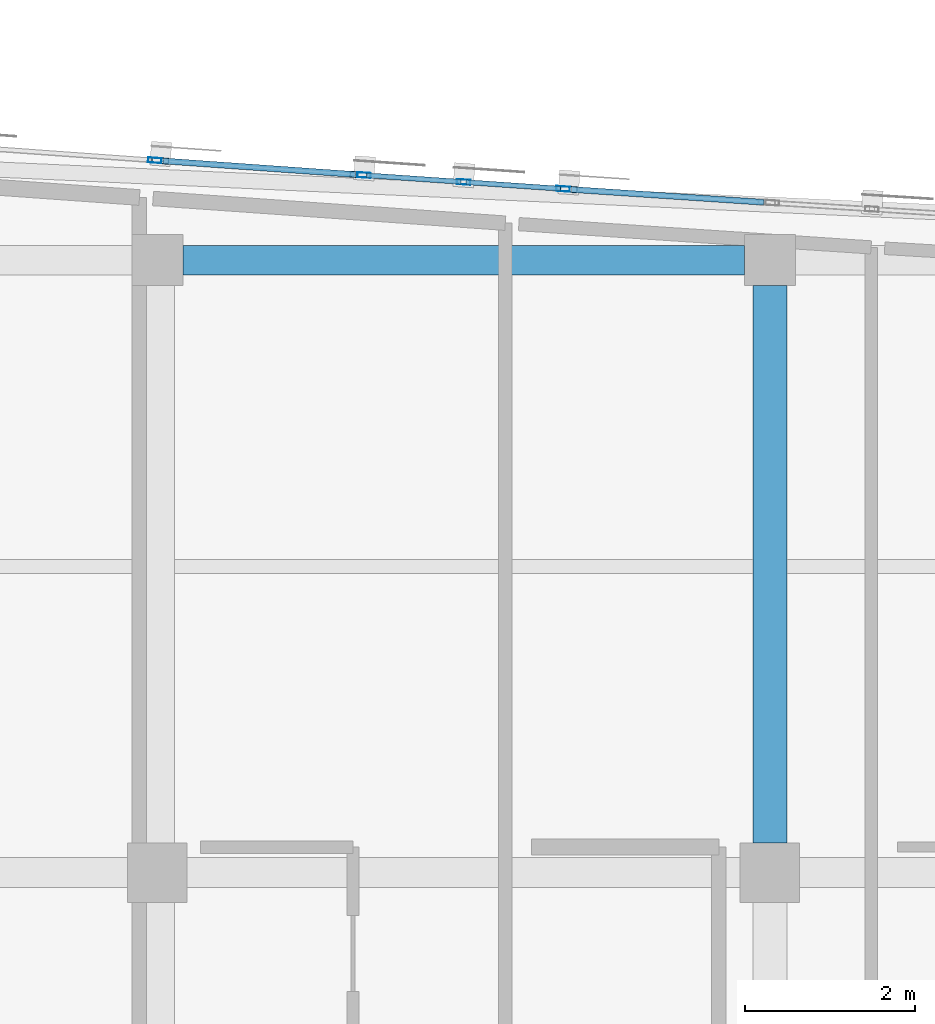
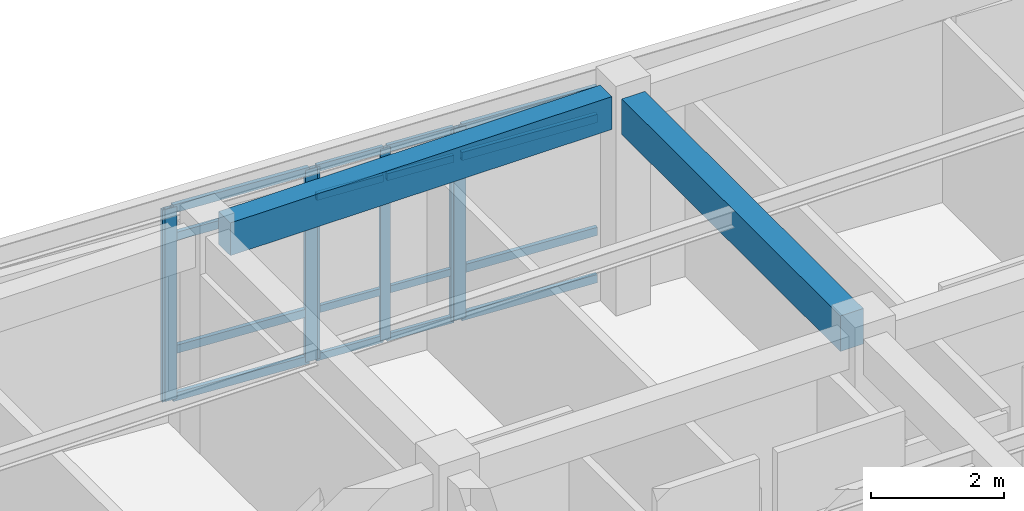
# One storey, part 60 of 113: 23 members, 2 beams, 4 elements without a shape of their own.
"""IFC4 building model written with IfcOpenShell, lengths in metres."""

from ifc_helpers import new_model, si_unit, direction, frame, origin, origin_2d, place, context, subcontext, project, spatial, rectangle, hollow_rectangle, extrude, material, layer, layer_set, material_profile, profile_set, type_object, element, aggregate, save


model = new_model("IFC4")

# Units and contexts
model_context = context("Model", 3, precision=1e-05, world=origin(), true_north=direction((0.0, 1.0)))
body_context = subcontext(model_context, "Body", "Model", "MODEL_VIEW")
ifc_project = project(units=[si_unit("LENGTHUNIT", "METRE"), si_unit("AREAUNIT", "SQUARE_METRE"), si_unit("VOLUMEUNIT", "CUBIC_METRE"), si_unit("PLANEANGLEUNIT", "RADIAN"), si_unit("MASSUNIT", "GRAM", prefix="KILO")], contexts=[model_context])

# Site, building, storey
site_placement = place(None, origin())
site = spatial("IfcSite", under=ifc_project, at=site_placement, CompositionType="ELEMENT")
building_placement = place(site_placement, origin())
building = spatial("IfcBuilding", under=site, at=building_placement, Name="Carrowvane Square Congress Hotel", CompositionType="ELEMENT")
storey_placement = place(building_placement, frame((0.0, 0.0, 15.0)))
storey = spatial("IfcBuildingStorey", under=building, at=storey_placement, Name="L03", CompositionType="ELEMENT", Elevation=15.0)

# Beams
ifc_material_1 = material(Name="Concrete C35/45", Category="concrete")
ifc_material_profile_1 = material_profile(ifc_material_1, rectangle(XDim=0.35009765625, YDim=0.60009765625, at=origin_2d()), Name="RC 350x600")
ifc_profile_set_1 = profile_set([ifc_material_profile_1], Name="Concrete C35/45")
beam_type_1 = type_object("IfcBeamType", Name="BM-RC-350x600", PredefinedType="BEAM", material=ifc_profile_set_1)
beam_1_placement = place(storey_placement, frame((141.5, 113.39990234375, 3.639892578125), z_axis=(1.0, 0.0, 0.0), x_axis=(0.0, 1.0, 0.0)))
element("IfcBeam", 1, at=beam_1_placement, inside=storey, type_object=beam_type_1, Name="L04 girder R/19-20", PredefinedType="BEAM", context=body_context, shape_type="SweptSolid", body=[
    extrude(rectangle(XDim=0.35009765625, YDim=0.60009765625, at=origin_2d()), origin(), (0.0, 0.0, 1.0), 6.60009765625),
])
ifc_material_2 = material(Name="Concrete C35/45", Category="concrete")
ifc_material_profile_2 = material_profile(ifc_material_2, rectangle(XDim=0.39990234375, YDim=0.64990234375, at=origin_2d()), Name="RC 400x650")
ifc_profile_set_2 = profile_set([ifc_material_profile_2], Name="Concrete C35/45")
beam_type_2 = type_object("IfcBeamType", Name="BM-RC-400x650", PredefinedType="BEAM", material=ifc_profile_set_2)
beam_2_placement = place(storey_placement, frame((148.39990234375, 106.550048828125, 3.614990234375), z_axis=(0.0, 1.0, 0.0), x_axis=(-1.0, 0.0, 0.0)))
element("IfcBeam", 2, at=beam_2_placement, inside=storey, type_object=beam_type_2, Name="L04 girder 20/Q-R", PredefinedType="BEAM", context=body_context, shape_type="SweptSolid", body=[
    extrude(rectangle(XDim=0.39990234375, YDim=0.64990234375, at=origin_2d()), origin(), (0.0, 0.0, 1.0), 6.550048828125),
])

# Curtain wall, member
ifc_material_3 = material(Name="Anodised aluminium", Category="aluminium")
ifc_layer_1 = layer(ifc_material_3, 0.18603515625)
ifc_layer_set_1 = layer_set([ifc_layer_1], Name="Anodised aluminium")
curtain_wall_type_1 = type_object("IfcCurtainWallType", Name="CW-SYS-3", PredefinedType="NOTDEFINED", material=ifc_layer_set_1)
curtain_wall_1_placement = place(storey_placement, origin())
curtain_wall_1 = element("IfcCurtainWall", 3, at=curtain_wall_1_placement, inside=storey, type_object=curtain_wall_type_1, Name="L03 unitised curtain wall 234", PredefinedType="NOTDEFINED")
ifc_material_4 = material(Name="Anodised aluminium", Category="aluminium")
ifc_material_profile_3 = material_profile(ifc_material_4, hollow_rectangle(XDim=0.06005859375, YDim=0.159912109375, WallThickness=0.00390625, at=origin_2d()), Name="CW-ML 60x160x4")
ifc_profile_set_3 = profile_set([ifc_material_profile_3], Name="Anodised aluminium")
member_type_1 = type_object("IfcMemberType", Name="CW-MUL-1", PredefinedType="MULLION", material=ifc_profile_set_3)
member_1_placement = place(storey_placement, frame((141.169921875, 114.573486328125, 0.0), z_axis=(0.0, 0.0, 1.0), x_axis=(0.071422490945, 0.997446152826, 0.0)))
member_1 = element("IfcMember", 4, at=member_1_placement, type_object=member_type_1, Name="CW-3 mullion 2", PredefinedType="MULLION", context=body_context, shape_type="SweptSolid", body=[
    extrude(hollow_rectangle(XDim=0.06005859375, YDim=0.159912109375, WallThickness=0.00390625, at=origin_2d()), origin(), (0.0, 0.0, 1.0), 3.515625),
])
aggregate(curtain_wall_1, [member_1])

# Curtain wall, members
ifc_material_5 = material(Name="Anodised aluminium", Category="aluminium")
ifc_layer_2 = layer(ifc_material_5, 0.2099609375)
ifc_layer_set_2 = layer_set([ifc_layer_2], Name="Anodised aluminium")
curtain_wall_type_2 = type_object("IfcCurtainWallType", Name="CW-SYS-5", PredefinedType="NOTDEFINED", material=ifc_layer_set_2)
curtain_wall_2_placement = place(storey_placement, origin())
curtain_wall_2 = element("IfcCurtainWall", 5, at=curtain_wall_2_placement, inside=storey, type_object=curtain_wall_type_2, Name="L03 unitised curtain wall 236", PredefinedType="NOTDEFINED")
member_2_placement = place(storey_placement, frame((143.6298828125, 114.3994140625, 0.0), z_axis=(0.0, 0.0, 1.0), x_axis=(0.068986120725, 0.997617619706, 0.0)))
member_2 = element("IfcMember", 6, at=member_2_placement, type_object=member_type_1, Name="CW-5 mullion 1", PredefinedType="MULLION", context=body_context, shape_type="SweptSolid", body=[
    extrude(hollow_rectangle(XDim=0.06005859375, YDim=0.159912109375, WallThickness=0.00390625, at=origin_2d()), origin(), (0.0, 0.0, 1.0), 3.515625),
])
member_3_placement = place(storey_placement, frame((144.800048828125, 114.318359375, 0.0), z_axis=(0.0, 0.0, 1.0), x_axis=(0.068986120725, 0.997617619706, 0.0)))
member_3 = element("IfcMember", 7, at=member_3_placement, type_object=member_type_1, Name="CW-5 mullion 2", PredefinedType="MULLION", context=body_context, shape_type="SweptSolid", body=[
    extrude(hollow_rectangle(XDim=0.06005859375, YDim=0.159912109375, WallThickness=0.00390625, at=origin_2d()), origin(), (0.0, 0.0, 1.0), 3.515625),
])
member_4_placement = place(storey_placement, frame((145.969970703125, 114.237548828125, 0.0), z_axis=(0.0, 0.0, 1.0), x_axis=(0.068986120725, 0.997617619706, 0.0)))
member_4 = element("IfcMember", 8, at=member_4_placement, type_object=member_type_1, Name="CW-5 mullion 3", PredefinedType="MULLION", context=body_context, shape_type="SweptSolid", body=[
    extrude(hollow_rectangle(XDim=0.06005859375, YDim=0.159912109375, WallThickness=0.00390625, at=origin_2d()), origin(), (0.0, 0.0, 1.0), 3.515625),
])

ifc_material_6 = material(Name="Anodised aluminium", Category="aluminium")
ifc_layer_3 = layer(ifc_material_6, 0.197998046875)
ifc_layer_set_3 = layer_set([ifc_layer_3], Name="Anodised aluminium")
curtain_wall_type_3 = type_object("IfcCurtainWallType", Name="CW-SYS-4", PredefinedType="NOTDEFINED", material=ifc_layer_set_3)
curtain_wall_3_placement = place(storey_placement, origin())
curtain_wall_3 = element("IfcCurtainWall", 9, at=curtain_wall_3_placement, inside=storey, type_object=curtain_wall_type_3, Name="L03 unitised curtain wall 235", PredefinedType="NOTDEFINED")
ifc_material_7 = material(Name="Anodised aluminium", Category="aluminium")
ifc_material_profile_4 = material_profile(ifc_material_7, hollow_rectangle(XDim=0.070068359375, YDim=0.199951171875, WallThickness=0.0048828125, at=origin_2d()), Name="CW-ML 70x200x5")
ifc_profile_set_4 = profile_set([ifc_material_profile_4], Name="Anodised aluminium")
member_type_2 = type_object("IfcMemberType", Name="CW-MUL-2", PredefinedType="MULLION", material=ifc_profile_set_4)
member_5_placement = place(storey_placement, frame((141.23486328125, 114.56884765625, 0.0), z_axis=(0.0, 0.0, 1.0), x_axis=(0.070585996942, 0.997505697746, 0.0)))
member_5 = element("IfcMember", 10, at=member_5_placement, type_object=member_type_2, Name="CW-4 mullion 1", PredefinedType="MULLION", context=body_context, shape_type="SweptSolid", body=[
    extrude(hollow_rectangle(XDim=0.070068359375, YDim=0.199951171875, WallThickness=0.0048828125, at=origin_2d()), origin(), (0.0, 0.0, 1.0), 3.515625),
])
member_6_placement = place(storey_placement, frame((143.565185546875, 114.40380859375, 0.0), z_axis=(0.0, 0.0, 1.0), x_axis=(0.070585996942, 0.997505697746, 0.0)))
member_6 = element("IfcMember", 11, at=member_6_placement, type_object=member_type_2, Name="CW-4 mullion 2", PredefinedType="MULLION", context=body_context, shape_type="SweptSolid", body=[
    extrude(hollow_rectangle(XDim=0.070068359375, YDim=0.199951171875, WallThickness=0.0048828125, at=origin_2d()), origin(), (0.0, 0.0, 1.0), 3.515625),
])

# Curtain wall, member
ifc_material_8 = material(Name="Anodised aluminium", Category="aluminium")
ifc_layer_4 = layer(ifc_material_8, 0.221923828125)
ifc_layer_set_4 = layer_set([ifc_layer_4], Name="Anodised aluminium")
curtain_wall_type_4 = type_object("IfcCurtainWallType", Name="CW-SYS-6", PredefinedType="NOTDEFINED", material=ifc_layer_set_4)
curtain_wall_4_placement = place(storey_placement, origin())
curtain_wall_4 = element("IfcCurtainWall", 12, at=curtain_wall_4_placement, inside=storey, type_object=curtain_wall_type_4, Name="L03 unitised curtain wall 237", PredefinedType="NOTDEFINED")
member_7_placement = place(storey_placement, frame((146.034912109375, 114.233154296875, 0.0), z_axis=(0.0, 0.0, 1.0), x_axis=(0.06657392244, 0.997781495544, 0.0)))
member_7 = element("IfcMember", 13, at=member_7_placement, type_object=member_type_2, Name="CW-6 mullion 1", PredefinedType="MULLION", context=body_context, shape_type="SweptSolid", body=[
    extrude(hollow_rectangle(XDim=0.070068359375, YDim=0.199951171875, WallThickness=0.0048828125, at=origin_2d()), origin(), (0.0, 0.0, 1.0), 3.515625),
])

# Member
ifc_material_9 = material(Name="Anodised aluminium", Category="aluminium")
ifc_material_profile_5 = material_profile(ifc_material_9, hollow_rectangle(XDim=0.06005859375, YDim=0.1298828125, WallThickness=0.00390625, at=origin_2d()), Name="CW-TR 60x130x4")
ifc_profile_set_5 = profile_set([ifc_material_profile_5], Name="Anodised aluminium")
member_type_3 = type_object("IfcMemberType", Name="CW-TRN-1", PredefinedType="USERDEFINED", material=ifc_profile_set_5)
member_8_placement = place(storey_placement, frame((143.659912109375, 114.397216796875, 0.030029296875), z_axis=(0.997624092775, -0.068892448896, 0.0), x_axis=(0.068892448896, 0.997624092775, 0.0)))
member_8 = element("IfcMember", 14, at=member_8_placement, type_object=member_type_3, Name="CW-5 transom 1.1", ObjectType="TRANSOM", PredefinedType="USERDEFINED", context=body_context, shape_type="SweptSolid", body=[
    extrude(hollow_rectangle(XDim=0.06005859375, YDim=0.1298828125, WallThickness=0.00390625, at=origin_2d()), origin(), (0.0, 0.0, 1.0), 1.11279296875),
])

member_9_placement = place(storey_placement, frame((143.659912109375, 114.397216796875, 0.89990234375), z_axis=(0.997624092775, -0.068892448896, 0.0), x_axis=(0.068892448896, 0.997624092775, 0.0)))
member_9 = element("IfcMember", 15, at=member_9_placement, type_object=member_type_3, Name="CW-5 transom 1.2", ObjectType="TRANSOM", PredefinedType="USERDEFINED", context=body_context, shape_type="SweptSolid", body=[
    extrude(hollow_rectangle(XDim=0.06005859375, YDim=0.1298828125, WallThickness=0.00390625, at=origin_2d()), origin(), (0.0, 0.0, 1.0), 1.11279296875),
])

member_10_placement = place(storey_placement, frame((143.659912109375, 114.397216796875, 2.965576171875), z_axis=(0.997624092775, -0.068892448896, 0.0), x_axis=(0.068892448896, 0.997624092775, 0.0)))
member_10 = element("IfcMember", 16, at=member_10_placement, type_object=member_type_3, Name="CW-5 transom 1.3", ObjectType="TRANSOM", PredefinedType="USERDEFINED", context=body_context, shape_type="SweptSolid", body=[
    extrude(hollow_rectangle(XDim=0.06005859375, YDim=0.1298828125, WallThickness=0.00390625, at=origin_2d()), origin(), (0.0, 0.0, 1.0), 1.11279296875),
])

member_11_placement = place(storey_placement, frame((143.659912109375, 114.397216796875, 3.485595703125), z_axis=(0.997624092775, -0.068892448896, 0.0), x_axis=(0.068892448896, 0.997624092775, 0.0)))
member_11 = element("IfcMember", 17, at=member_11_placement, type_object=member_type_3, Name="CW-5 transom 1.4", ObjectType="TRANSOM", PredefinedType="USERDEFINED", context=body_context, shape_type="SweptSolid", body=[
    extrude(hollow_rectangle(XDim=0.06005859375, YDim=0.1298828125, WallThickness=0.00390625, at=origin_2d()), origin(), (0.0, 0.0, 1.0), 1.11279296875),
])

member_12_placement = place(storey_placement, frame((144.829833984375, 114.31640625, 0.030029296875), z_axis=(0.997610037403, -0.06909568201, 0.0), x_axis=(0.06909568201, 0.997610037403, 0.0)))
member_12 = element("IfcMember", 18, at=member_12_placement, type_object=member_type_3, Name="CW-5 transom 2.1", ObjectType="TRANSOM", PredefinedType="USERDEFINED", context=body_context, shape_type="SweptSolid", body=[
    extrude(hollow_rectangle(XDim=0.06005859375, YDim=0.1298828125, WallThickness=0.00390625, at=origin_2d()), origin(), (0.0, 0.0, 1.0), 1.113037109375),
])

member_13_placement = place(storey_placement, frame((144.829833984375, 114.31640625, 0.89990234375), z_axis=(0.997610037403, -0.06909568201, 0.0), x_axis=(0.06909568201, 0.997610037403, 0.0)))
member_13 = element("IfcMember", 19, at=member_13_placement, type_object=member_type_3, Name="CW-5 transom 2.2", ObjectType="TRANSOM", PredefinedType="USERDEFINED", context=body_context, shape_type="SweptSolid", body=[
    extrude(hollow_rectangle(XDim=0.06005859375, YDim=0.1298828125, WallThickness=0.00390625, at=origin_2d()), origin(), (0.0, 0.0, 1.0), 1.113037109375),
])

member_14_placement = place(storey_placement, frame((144.829833984375, 114.31640625, 2.965576171875), z_axis=(0.997610037403, -0.06909568201, 0.0), x_axis=(0.06909568201, 0.997610037403, 0.0)))
member_14 = element("IfcMember", 20, at=member_14_placement, type_object=member_type_3, Name="CW-5 transom 2.3", ObjectType="TRANSOM", PredefinedType="USERDEFINED", context=body_context, shape_type="SweptSolid", body=[
    extrude(hollow_rectangle(XDim=0.06005859375, YDim=0.1298828125, WallThickness=0.00390625, at=origin_2d()), origin(), (0.0, 0.0, 1.0), 1.113037109375),
])

member_15_placement = place(storey_placement, frame((144.829833984375, 114.31640625, 3.485595703125), z_axis=(0.997610037403, -0.06909568201, 0.0), x_axis=(0.06909568201, 0.997610037403, 0.0)))
member_15 = element("IfcMember", 21, at=member_15_placement, type_object=member_type_3, Name="CW-5 transom 2.4", ObjectType="TRANSOM", PredefinedType="USERDEFINED", context=body_context, shape_type="SweptSolid", body=[
    extrude(hollow_rectangle(XDim=0.06005859375, YDim=0.1298828125, WallThickness=0.00390625, at=origin_2d()), origin(), (0.0, 0.0, 1.0), 1.113037109375),
])

aggregate(curtain_wall_2, [member_2, member_3, member_4, member_8, member_9, member_10, member_11, member_12, member_13, member_14, member_15])

ifc_material_10 = material(Name="Anodised aluminium", Category="aluminium")
ifc_material_profile_6 = material_profile(ifc_material_10, hollow_rectangle(XDim=0.070068359375, YDim=0.14990234375, WallThickness=0.0048828125, at=origin_2d()), Name="CW-TR 70x150x5")
ifc_profile_set_6 = profile_set([ifc_material_profile_6], Name="Anodised aluminium")
member_type_4 = type_object("IfcMemberType", Name="CW-TRN-2", PredefinedType="USERDEFINED", material=ifc_profile_set_6)
member_16_placement = place(storey_placement, frame((141.269775390625, 114.56640625, 0.034912109375), z_axis=(0.997507138694, -0.070565630829, 0.0), x_axis=(0.070565630829, 0.997507138694, 0.0)))
member_16 = element("IfcMember", 22, at=member_16_placement, type_object=member_type_4, Name="CW-4 transom 1.1", ObjectType="TRANSOM", PredefinedType="USERDEFINED", context=body_context, shape_type="SweptSolid", body=[
    extrude(hollow_rectangle(XDim=0.070068359375, YDim=0.14990234375, WallThickness=0.0048828125, at=origin_2d()), origin(), (0.0, 0.0, 1.0), 2.26611328125),
])

member_17_placement = place(storey_placement, frame((141.269775390625, 114.56640625, 0.89990234375), z_axis=(0.997507138694, -0.070565630829, 0.0), x_axis=(0.070565630829, 0.997507138694, 0.0)))
member_17 = element("IfcMember", 23, at=member_17_placement, type_object=member_type_4, Name="CW-4 transom 1.2", ObjectType="TRANSOM", PredefinedType="USERDEFINED", context=body_context, shape_type="SweptSolid", body=[
    extrude(hollow_rectangle(XDim=0.070068359375, YDim=0.14990234375, WallThickness=0.0048828125, at=origin_2d()), origin(), (0.0, 0.0, 1.0), 2.26611328125),
])

member_18_placement = place(storey_placement, frame((141.269775390625, 114.56640625, 2.965576171875), z_axis=(0.997507138694, -0.070565630829, 0.0), x_axis=(0.070565630829, 0.997507138694, 0.0)))
member_18 = element("IfcMember", 24, at=member_18_placement, type_object=member_type_4, Name="CW-4 transom 1.3", ObjectType="TRANSOM", PredefinedType="USERDEFINED", context=body_context, shape_type="SweptSolid", body=[
    extrude(hollow_rectangle(XDim=0.070068359375, YDim=0.14990234375, WallThickness=0.0048828125, at=origin_2d()), origin(), (0.0, 0.0, 1.0), 2.26611328125),
])

member_19_placement = place(storey_placement, frame((141.269775390625, 114.56640625, 3.480712890625), z_axis=(0.997507138694, -0.070565630829, 0.0), x_axis=(0.070565630829, 0.997507138694, 0.0)))
member_19 = element("IfcMember", 25, at=member_19_placement, type_object=member_type_4, Name="CW-4 transom 1.4", ObjectType="TRANSOM", PredefinedType="USERDEFINED", context=body_context, shape_type="SweptSolid", body=[
    extrude(hollow_rectangle(XDim=0.070068359375, YDim=0.14990234375, WallThickness=0.0048828125, at=origin_2d()), origin(), (0.0, 0.0, 1.0), 2.26611328125),
])

aggregate(curtain_wall_3, [member_5, member_6, member_16, member_17, member_18, member_19])

member_20_placement = place(storey_placement, frame((146.06982421875, 114.230712890625, 0.034912109375), z_axis=(0.997786588276, -0.066497550763, 0.0), x_axis=(0.066497550763, 0.997786588276, 0.0)))
member_20 = element("IfcMember", 26, at=member_20_placement, type_object=member_type_4, Name="CW-6 transom 1.1", ObjectType="TRANSOM", PredefinedType="USERDEFINED", context=body_context, shape_type="SweptSolid", body=[
    extrude(hollow_rectangle(XDim=0.070068359375, YDim=0.14990234375, WallThickness=0.0048828125, at=origin_2d()), origin(), (0.0, 0.0, 1.0), 2.265380859375),
])

member_21_placement = place(storey_placement, frame((146.06982421875, 114.230712890625, 0.89990234375), z_axis=(0.997786588276, -0.066497550763, 0.0), x_axis=(0.066497550763, 0.997786588276, 0.0)))
member_21 = element("IfcMember", 27, at=member_21_placement, type_object=member_type_4, Name="CW-6 transom 1.2", ObjectType="TRANSOM", PredefinedType="USERDEFINED", context=body_context, shape_type="SweptSolid", body=[
    extrude(hollow_rectangle(XDim=0.070068359375, YDim=0.14990234375, WallThickness=0.0048828125, at=origin_2d()), origin(), (0.0, 0.0, 1.0), 2.265380859375),
])

member_22_placement = place(storey_placement, frame((146.06982421875, 114.230712890625, 2.965576171875), z_axis=(0.997786588276, -0.066497550763, 0.0), x_axis=(0.066497550763, 0.997786588276, 0.0)))
member_22 = element("IfcMember", 28, at=member_22_placement, type_object=member_type_4, Name="CW-6 transom 1.3", ObjectType="TRANSOM", PredefinedType="USERDEFINED", context=body_context, shape_type="SweptSolid", body=[
    extrude(hollow_rectangle(XDim=0.070068359375, YDim=0.14990234375, WallThickness=0.0048828125, at=origin_2d()), origin(), (0.0, 0.0, 1.0), 2.265380859375),
])

member_23_placement = place(storey_placement, frame((146.06982421875, 114.230712890625, 3.480712890625), z_axis=(0.997786588276, -0.066497550763, 0.0), x_axis=(0.066497550763, 0.997786588276, 0.0)))
member_23 = element("IfcMember", 29, at=member_23_placement, type_object=member_type_4, Name="CW-6 transom 1.4", ObjectType="TRANSOM", PredefinedType="USERDEFINED", context=body_context, shape_type="SweptSolid", body=[
    extrude(hollow_rectangle(XDim=0.070068359375, YDim=0.14990234375, WallThickness=0.0048828125, at=origin_2d()), origin(), (0.0, 0.0, 1.0), 2.265380859375),
])

aggregate(curtain_wall_4, [member_7, member_20, member_21, member_22, member_23])

save(model, "model.ifc")
